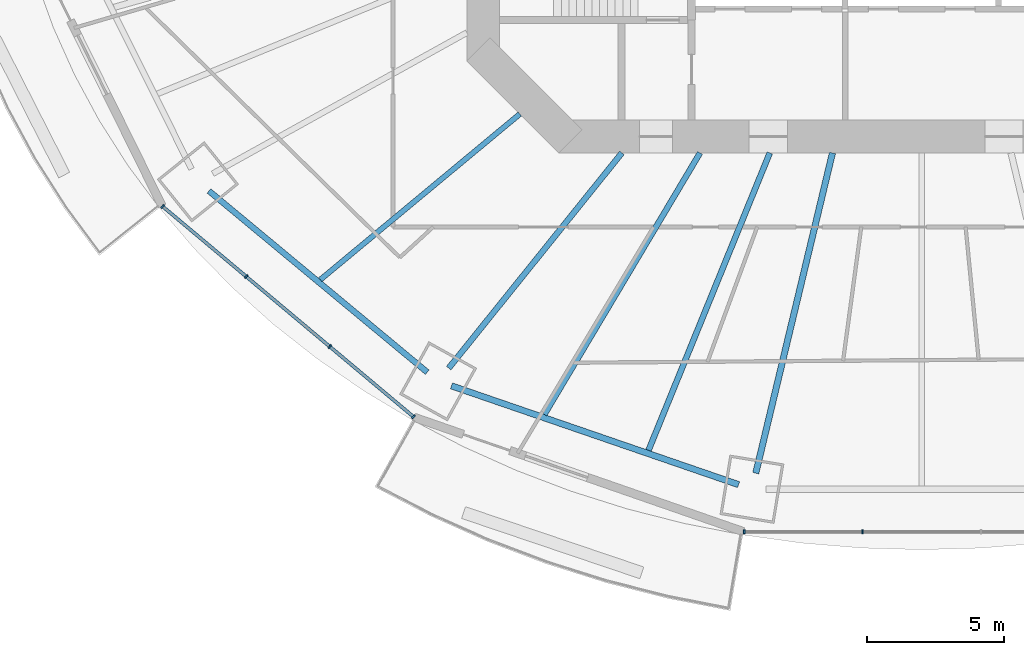
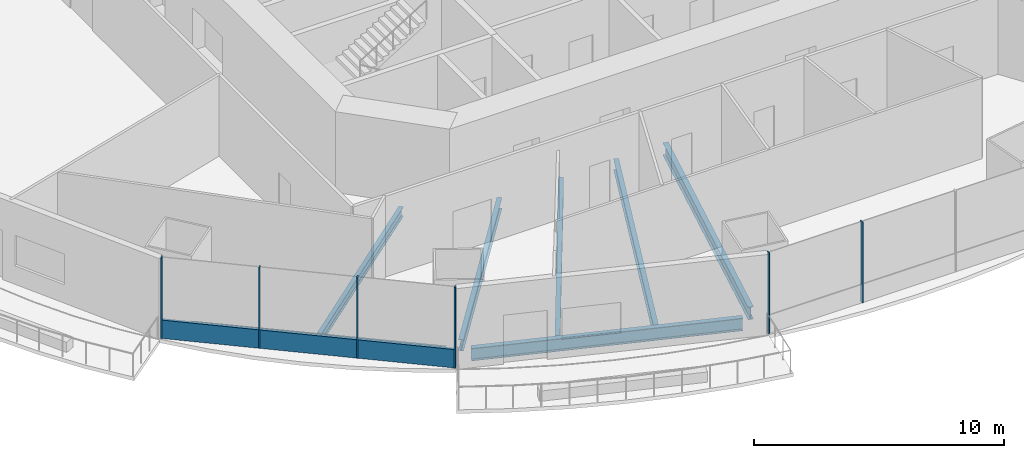
# One storey, part 2 of 18: 7 beams, 7 members, 2 elements without a shape of their own.
"""IFC4 building model written with IfcOpenShell, lengths in metres."""

from ifc_helpers import new_model, si_unit, direction, frame, origin, origin_2d, place, context, subcontext, project, spatial, rectangle, i_section, extrude, material, material_profile, profile_set, type_object, element, aggregate, save


model = new_model("IFC4")

# Units and contexts
model_context = context("Model", 3, precision=1e-05, world=origin(), true_north=direction((0.0, 1.0)))
body_context = subcontext(model_context, "Body", "Model", "MODEL_VIEW")
ifc_project = project(units=[si_unit("LENGTHUNIT", "METRE"), si_unit("AREAUNIT", "SQUARE_METRE"), si_unit("VOLUMEUNIT", "CUBIC_METRE"), si_unit("PLANEANGLEUNIT", "RADIAN"), si_unit("MASSUNIT", "GRAM", prefix="KILO")], contexts=[model_context])

# Site, building, storey
site_placement = place(None, origin())
site = spatial("IfcSite", under=ifc_project, at=site_placement, CompositionType="ELEMENT")
building_placement = place(site_placement, origin())
building = spatial("IfcBuilding", under=site, at=building_placement, Name="Marenthal Gate Tower", CompositionType="ELEMENT")
storey_placement = place(building_placement, frame((0.0, 0.0, 140.89990234375)))
storey = spatial("IfcBuildingStorey", under=building, at=storey_placement, Name="L30", CompositionType="ELEMENT", Elevation=140.89990234375)

# Curtain wall, members
ifc_material_1 = material(Name="Aluminium and glass", Category="aluminium")
curtain_wall_type = type_object("IfcCurtainWallType", Name="Curtain wall typical low", PredefinedType="NOTDEFINED", material=ifc_material_1)
curtain_wall_1_placement = place(storey_placement, origin())
curtain_wall_1 = element("IfcCurtainWall", 1, at=curtain_wall_1_placement, inside=storey, type_object=curtain_wall_type, Name="Curtain wall L30 bay 10", PredefinedType="NOTDEFINED")
ifc_material_2 = material(Name="Aluminium", Category="aluminium")
ifc_material_profile_1 = material_profile(ifc_material_2, rectangle(XDim=0.159912109375, YDim=0.06005859375, at=origin_2d()), Name="60x160 aluminium mullion")
ifc_profile_set_1 = profile_set([ifc_material_profile_1], Name="Aluminium")
member_type_1 = type_object("IfcMemberType", Name="Mullion 60x160 typical low", PredefinedType="MULLION", material=ifc_profile_set_1)
member_1_placement = place(storey_placement, frame((-27.699951171875, -15.55126953125, 0.0), z_axis=(0.0, 0.0, 1.0), x_axis=(0.642510826857, 0.766276606305, 0.0)))
member_1 = element("IfcMember", 2, at=member_1_placement, type_object=member_type_1, Name="Mullion L30 bay 10.1", PredefinedType="MULLION", context=body_context, shape_type="SweptSolid", body=[
    extrude(rectangle(XDim=0.159912109375, YDim=0.06005859375, at=origin_2d()), origin(), (0.0, 0.0, 1.0), 3.9501953125),
])
member_2_placement = place(storey_placement, frame((-24.64892578125, -18.109619140625, 0.0), z_axis=(0.0, 0.0, 1.0), x_axis=(0.642510826857, 0.766276606305, 0.0)))
member_2 = element("IfcMember", 3, at=member_2_placement, type_object=member_type_1, Name="Mullion L30 bay 10.2", PredefinedType="MULLION", context=body_context, shape_type="SweptSolid", body=[
    extrude(rectangle(XDim=0.159912109375, YDim=0.06005859375, at=origin_2d()), origin(), (0.0, 0.0, 1.0), 3.9501953125),
])
member_3_placement = place(storey_placement, frame((-21.597900390625, -20.66796875, 0.0), z_axis=(0.0, 0.0, 1.0), x_axis=(0.642510826857, 0.766276606305, 0.0)))
member_3 = element("IfcMember", 4, at=member_3_placement, type_object=member_type_1, Name="Mullion L30 bay 10.3", PredefinedType="MULLION", context=body_context, shape_type="SweptSolid", body=[
    extrude(rectangle(XDim=0.159912109375, YDim=0.06005859375, at=origin_2d()), origin(), (0.0, 0.0, 1.0), 3.9501953125),
])
member_4_placement = place(storey_placement, frame((-18.546875, -23.22607421875, 0.0), z_axis=(0.0, 0.0, 1.0), x_axis=(0.642510826857, 0.766276606305, 0.0)))
member_4 = element("IfcMember", 5, at=member_4_placement, type_object=member_type_1, Name="Mullion L30 bay 10.4", PredefinedType="MULLION", context=body_context, shape_type="SweptSolid", body=[
    extrude(rectangle(XDim=0.159912109375, YDim=0.06005859375, at=origin_2d()), origin(), (0.0, 0.0, 1.0), 3.9501953125),
])

curtain_wall_2_placement = place(storey_placement, origin())
curtain_wall_2 = element("IfcCurtainWall", 6, at=curtain_wall_2_placement, inside=storey, type_object=curtain_wall_type, Name="Curtain wall L30 bay 12", PredefinedType="NOTDEFINED")
member_5_placement = place(storey_placement, frame((-6.474609375, -27.419921875, 0.0), z_axis=(0.0, 0.0, 1.0), x_axis=(0.0, 1.0, 0.0)))
member_5 = element("IfcMember", 7, at=member_5_placement, type_object=member_type_1, Name="Mullion L30 bay 12.1", PredefinedType="MULLION", context=body_context, shape_type="SweptSolid", body=[
    extrude(rectangle(XDim=0.159912109375, YDim=0.06005859375, at=origin_2d()), origin(), (0.0, 0.0, 1.0), 3.9501953125),
])
member_6_placement = place(storey_placement, frame((-2.158203125, -27.419921875, 0.0), z_axis=(0.0, 0.0, 1.0), x_axis=(0.0, 1.0, 0.0)))
member_6 = element("IfcMember", 8, at=member_6_placement, type_object=member_type_1, Name="Mullion L30 bay 12.2", PredefinedType="MULLION", context=body_context, shape_type="SweptSolid", body=[
    extrude(rectangle(XDim=0.159912109375, YDim=0.06005859375, at=origin_2d()), origin(), (0.0, 0.0, 1.0), 3.9501953125),
])
aggregate(curtain_wall_2, [member_5, member_6])

# Member
ifc_material_3 = material(Name="Aluminium", Category="aluminium")
ifc_material_profile_2 = material_profile(ifc_material_3, rectangle(XDim=0.1201171875, YDim=0.89990234375, at=origin_2d()), Name="120x900 aluminium transom")
ifc_profile_set_2 = profile_set([ifc_material_profile_2], Name="Aluminium")
member_type_2 = type_object("IfcMemberType", Name="Transom 120x900 typical low", PredefinedType="USERDEFINED", material=ifc_profile_set_2)
member_7_placement = place(storey_placement, frame((-27.677001953125, -15.570556640625, 0.4501953125), z_axis=(0.76627636454, -0.642511115194, 0.0), x_axis=(0.642511115194, 0.76627636454, 0.0)))
member_7 = element("IfcMember", 9, at=member_7_placement, type_object=member_type_2, Name="Transom L30 bay 10", ObjectType="TRANSOM", PredefinedType="USERDEFINED", context=body_context, shape_type="SweptSolid", body=[
    extrude(rectangle(XDim=0.1201171875, YDim=0.89990234375, at=origin_2d()), origin(), (0.0, 0.0, 1.0), 11.885009765625),
])

aggregate(curtain_wall_1, [member_1, member_2, member_3, member_4, member_7])

# Beams
ifc_material_4 = material(Name="Steel S355", Category="steel")
ifc_material_profile_3 = material_profile(ifc_material_4, i_section(OverallWidth=0.193115234375, OverallDepth=0.467041015625, WebThickness=0.011474609375, FlangeThickness=0.01904296875, FilletRadius=0.010009765625, at=origin_2d()), Name="W460X97")
ifc_profile_set_3 = profile_set([ifc_material_profile_3], Name="Steel S355")
beam_type_1 = type_object("IfcBeamType", Name="W460X97 beam", PredefinedType="BEAM", material=ifc_profile_set_3)
beam_1_placement = place(storey_placement, frame((-21.944580078125, -18.22412109375, -0.413330078125), z_axis=(0.769313903272, 0.638870971506, 0.0), x_axis=(-0.638870971506, 0.769313903272, 0.0)))
element("IfcBeam", 10, at=beam_1_placement, inside=storey, type_object=beam_type_1, Name="BM-L30-31", PredefinedType="BEAM", context=body_context, shape_type="SweptSolid", body=[
    extrude(i_section(OverallWidth=0.193115234375, OverallDepth=0.467041015625, WebThickness=0.011474609375, FlangeThickness=0.01904296875, FilletRadius=0.010009765625, at=origin_2d()), origin(), (0.0, 0.0, 1.0), 9.459228515625),
])
ifc_material_5 = material(Name="Steel S355", Category="steel")
ifc_material_profile_4 = material_profile(ifc_material_5, i_section(OverallWidth=0.2099609375, OverallDepth=0.535888671875, WebThickness=0.010986328125, FlangeThickness=0.017333984375, FilletRadius=0.0126953125, at=origin_2d()), Name="W530X101")
ifc_profile_set_4 = profile_set([ifc_material_profile_4], Name="Steel S355")
beam_type_2 = type_object("IfcBeamType", Name="W530X101 beam", PredefinedType="BEAM", material=ifc_profile_set_4)
beam_2_placement = place(storey_placement, frame((-13.769775390625, -23.14404296875, -0.447998046875), z_axis=(0.511320752803, 0.859389950926, 0.0), x_axis=(-0.859389950926, 0.511320752803, 0.0)))
element("IfcBeam", 11, at=beam_2_placement, inside=storey, type_object=beam_type_2, Name="BM-L30-32", PredefinedType="BEAM", context=body_context, shape_type="SweptSolid", body=[
    extrude(i_section(OverallWidth=0.2099609375, OverallDepth=0.535888671875, WebThickness=0.010986328125, FlangeThickness=0.017333984375, FilletRadius=0.0126953125, at=origin_2d()), origin(), (0.0, 0.0, 1.0), 11.10546875),
])
ifc_material_6 = material(Name="Steel S355", Category="steel")
ifc_material_profile_5 = material_profile(ifc_material_6, i_section(OverallWidth=0.2119140625, OverallDepth=0.5439453125, WebThickness=0.01318359375, FlangeThickness=0.021240234375, FilletRadius=0.0126953125, at=origin_2d()), Name="W530X123")
ifc_profile_set_5 = profile_set([ifc_material_profile_5], Name="Steel S355")
beam_type_3 = type_object("IfcBeamType", Name="W530X123 beam", PredefinedType="BEAM", material=ifc_profile_set_5)
beam_3_placement = place(storey_placement, frame((-17.259521484375, -21.45166015625, -0.451904296875), z_axis=(0.6268641657, 0.77912856305, 0.0), x_axis=(-0.77912856305, 0.6268641657, 0.0)))
element("IfcBeam", 12, at=beam_3_placement, inside=storey, type_object=beam_type_3, Name="BM-L30-11", PredefinedType="BEAM", context=body_context, shape_type="SweptSolid", body=[
    extrude(i_section(OverallWidth=0.2119140625, OverallDepth=0.5439453125, WebThickness=0.01318359375, FlangeThickness=0.021240234375, FilletRadius=0.0126953125, at=origin_2d()), origin(), (0.0, 0.0, 1.0), 10.077392578125),
])
beam_4_placement = place(storey_placement, frame((-9.9697265625, -24.451171875, -0.451904296875), z_axis=(0.377553645664, 0.92598771301, 0.0), x_axis=(-0.92598771301, 0.377553645664, 0.0)))
element("IfcBeam", 13, at=beam_4_placement, inside=storey, type_object=beam_type_3, Name="BM-L30-33", PredefinedType="BEAM", context=body_context, shape_type="SweptSolid", body=[
    extrude(i_section(OverallWidth=0.2119140625, OverallDepth=0.5439453125, WebThickness=0.01318359375, FlangeThickness=0.021240234375, FilletRadius=0.0126953125, at=origin_2d()), origin(), (0.0, 0.0, 1.0), 11.71826171875),
])
beam_5_placement = place(storey_placement, frame((-26.0087890625, -14.98681640625, -0.451904296875), z_axis=(0.769308410826, -0.638877585326, 0.0), x_axis=(0.638877585326, 0.769308410826, 0.0)))
element("IfcBeam", 14, at=beam_5_placement, inside=storey, type_object=beam_type_3, Name="BM-L30-50", PredefinedType="BEAM", context=body_context, shape_type="SweptSolid", body=[
    extrude(i_section(OverallWidth=0.2119140625, OverallDepth=0.5439453125, WebThickness=0.01318359375, FlangeThickness=0.021240234375, FilletRadius=0.0126953125, at=origin_2d()), origin(), (0.0, 0.0, 1.0), 10.35302734375),
])
ifc_material_7 = material(Name="Steel S355", Category="steel")
ifc_material_profile_6 = material_profile(ifc_material_7, i_section(OverallWidth=0.22900390625, OverallDepth=0.612060546875, WebThickness=0.011962890625, FlangeThickness=0.01953125, FilletRadius=0.0126953125, at=origin_2d()), Name="W610X125")
ifc_profile_set_6 = profile_set([ifc_material_profile_6], Name="Steel S355")
beam_type_4 = type_object("IfcBeamType", Name="W610X125 beam", PredefinedType="BEAM", material=ifc_profile_set_6)
beam_6_placement = place(storey_placement, frame((-6.05615234375, -25.283935546875, -0.48583984375), z_axis=(0.232937154271, 0.972491790279, 0.0), x_axis=(-0.972491790279, 0.232937154271, 0.0)))
element("IfcBeam", 15, at=beam_6_placement, inside=storey, type_object=beam_type_4, Name="BM-L30-12", PredefinedType="BEAM", context=body_context, shape_type="SweptSolid", body=[
    extrude(i_section(OverallWidth=0.22900390625, OverallDepth=0.612060546875, WebThickness=0.011962890625, FlangeThickness=0.01953125, FilletRadius=0.0126953125, at=origin_2d()), origin(), (0.0, 0.0, 1.0), 12.014404296875),
])
beam_7_placement = place(storey_placement, frame((-17.158447265625, -22.099365234375, -0.48583984375), z_axis=(0.945616285836, -0.325284244871, 0.0), x_axis=(0.325284244871, 0.945616285836, 0.0)))
element("IfcBeam", 16, at=beam_7_placement, inside=storey, type_object=beam_type_4, Name="BM-L30-51", PredefinedType="BEAM", context=body_context, shape_type="SweptSolid", body=[
    extrude(i_section(OverallWidth=0.22900390625, OverallDepth=0.612060546875, WebThickness=0.011962890625, FlangeThickness=0.01953125, FilletRadius=0.0126953125, at=origin_2d()), origin(), (0.0, 0.0, 1.0), 11.078125),
])

save(model, "model.ifc")
